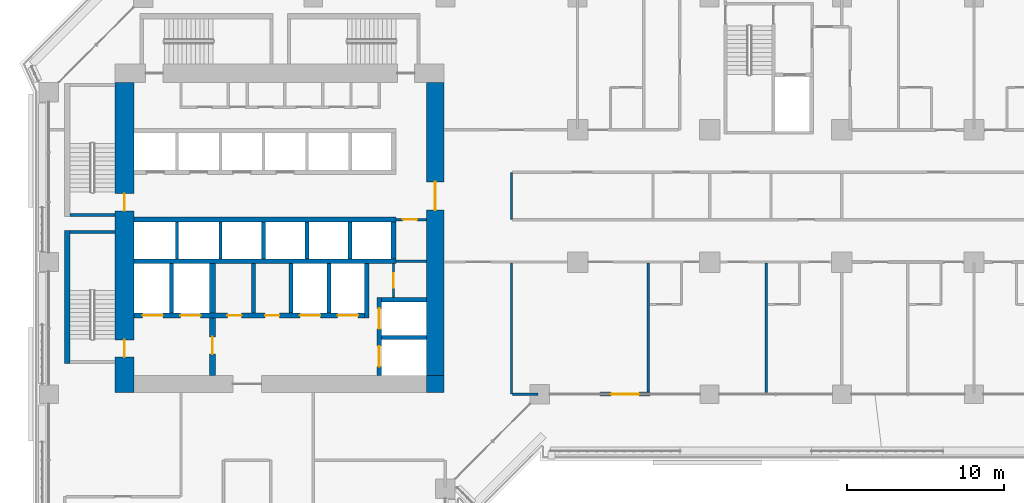
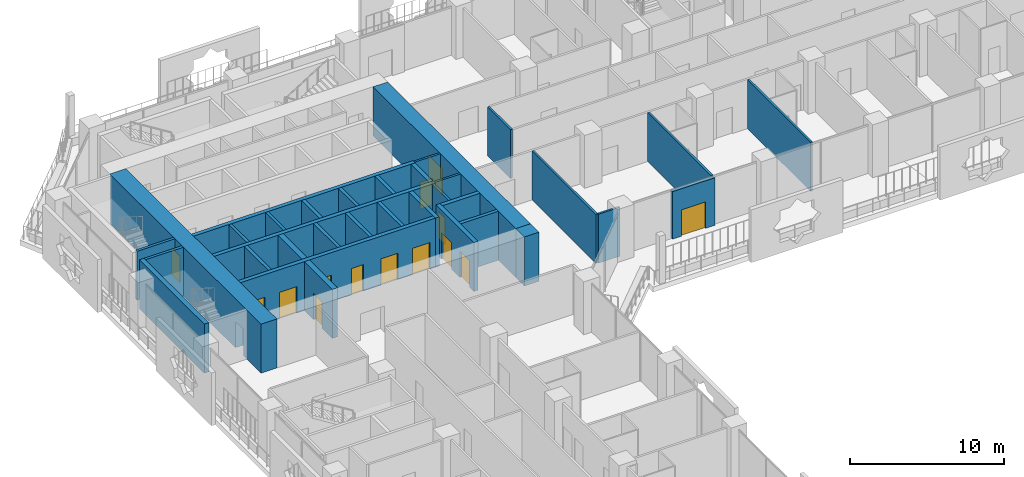
# One storey, part 15 of 28: 34 walls, 15 doors, 15 openings.
"""IFC4 building model written with IfcOpenShell, lengths in metres."""

from ifc_helpers import new_model, si_unit, direction, frame, frame_2d, origin, place, context, subcontext, project, spatial, rectangle, extrude, material, layer, layer_set, type_object, element, fill, save


model = new_model("IFC4")

# Units and contexts
model_context = context("Model", 3, precision=1e-05, world=origin(), true_north=direction((0.0, 1.0)))
body_context = subcontext(model_context, "Body", "Model", "MODEL_VIEW")
ifc_project = project(units=[si_unit("LENGTHUNIT", "METRE"), si_unit("AREAUNIT", "SQUARE_METRE"), si_unit("VOLUMEUNIT", "CUBIC_METRE"), si_unit("PLANEANGLEUNIT", "RADIAN"), si_unit("MASSUNIT", "GRAM", prefix="KILO")], contexts=[model_context])

# Site, building, storey
site_placement = place(None, origin())
site = spatial("IfcSite", under=ifc_project, at=site_placement, CompositionType="ELEMENT")
building_placement = place(site_placement, origin())
building = spatial("IfcBuilding", under=site, at=building_placement, Name="Kawkab Arch Medical Tower", CompositionType="ELEMENT")
storey_placement = place(building_placement, frame((0.0, 0.0, 68.60009765625)))
storey = spatial("IfcBuildingStorey", under=building, at=storey_placement, Name="L15", CompositionType="ELEMENT", Elevation=68.60009765625)

# Wall, opening, door
ifc_material_1 = material(Name="Concrete C60/75", Category="concrete")
ifc_layer_1 = layer(ifc_material_1, 1.10009765625)
ifc_layer_set_1 = layer_set([ifc_layer_1], Name="Concrete C60/75")
wall_type_1 = type_object("IfcWallType", Name="Core ring wall 1100 C60/75", PredefinedType="SHEAR", material=ifc_layer_set_1)
wall_1_placement = place(storey_placement, frame((24.550048828125, -24.0, 0.0), z_axis=(0.0, 0.0, 1.0), x_axis=(0.0, 1.0, 0.0)))
wall_1 = element("IfcWall", 1, at=wall_1_placement, inside=storey, type_object=wall_type_1, Name="L15 core wall", PredefinedType="SHEAR", context=body_context, shape_type="SweptSolid", body=[
    extrude(rectangle(XDim=18.60009765625, YDim=1.10009765625, at=frame_2d((9.300048828125, 0.0))), origin(), (0.0, 0.0, 1.0), 3.89990234375),
])
opening_1_placement = place(wall_1_placement, frame((10.5, 0.0, 0.0)))
opening_1 = element("IfcOpeningElement", 2, at=opening_1_placement, cuts=wall_1, Name="Opening PD", PredefinedType="OPENING", context=body_context, shape_type="SweptSolid", body=[
    extrude(rectangle(XDim=1.800048828125, YDim=2.10009765625, at=frame_2d((0.89990234375, 1.050048828125))), frame((0.0, 0.56005859375, 0.0), z_axis=(0.0, -1.0, 0.0), x_axis=(1.0, 0.0, 0.0)), (0.0, 0.0, 1.0), 1.1201171875),
])
ifc_material_2 = material(Name="Hollow metal fire door leaf")
door_type_1 = type_object("IfcDoorType", Name="Core entrance doors 1800", OperationType="DOUBLE_DOOR_SINGLE_SWING", PredefinedType="DOOR", material=ifc_material_2)
door_1_placement = place(opening_1_placement, origin())
door_1 = element("IfcDoor", 3, at=door_1_placement, inside=storey, type_object=door_type_1, Name="L15 East entrance doors", OperationType="DOUBLE_DOOR_SINGLE_SWING", OverallHeight=2.10009765625, OverallWidth=1.800048828125, PredefinedType="DOOR", context=body_context, shape_type="SweptSolid", body=[
    extrude(rectangle(XDim=1.800048828125, YDim=2.10009765625, at=frame_2d((0.89990234375, 1.050048828125))), frame((0.0, 0.02490234375, 0.0), z_axis=(0.0, -1.0, 0.0), x_axis=(1.0, 0.0, 0.0)), (0.0, 0.0, 1.0), 0.050048828125),
])
fill(opening_1, door_1)

# Wall
wall_2_placement = place(storey_placement, frame((24.550048828125, -25.10009765625, 0.0), z_axis=(0.0, 0.0, 1.0), x_axis=(0.0, 1.0, 0.0)))
element("IfcWall", 4, at=wall_2_placement, inside=storey, type_object=wall_type_1, Name="L15 core wall", PredefinedType="SHEAR", context=body_context, shape_type="SweptSolid", body=[
    extrude(rectangle(XDim=1.10009765625, YDim=1.10009765625, at=frame_2d((0.550048828125, 0.0))), origin(), (0.0, 0.0, 1.0), 3.89990234375),
])

# Wall, openings, doors
ifc_material_3 = material(Name="Concrete C60/75", Category="concrete")
ifc_layer_2 = layer(ifc_material_3, 1.199951171875)
ifc_layer_set_2 = layer_set([ifc_layer_2], Name="Concrete C60/75")
wall_type_2 = type_object("IfcWallType", Name="Core ring wall 1200 C60/75", PredefinedType="SHEAR", material=ifc_layer_set_2)
wall_3_placement = place(storey_placement, frame((4.800048828125, -25.10009765625, 0.0), z_axis=(0.0, 0.0, 1.0), x_axis=(0.0, 1.0, 0.0)))
wall_3 = element("IfcWall", 5, at=wall_3_placement, inside=storey, type_object=wall_type_2, Name="L15 core wall", PredefinedType="SHEAR", context=body_context, shape_type="SweptSolid", body=[
    extrude(rectangle(XDim=19.7001953125, YDim=1.199951171875, at=frame_2d((9.85009765625, 0.0))), origin(), (0.0, 0.0, 1.0), 3.89990234375),
])
opening_2_placement = place(wall_3_placement, frame((11.550048828125, 0.0, 0.0)))
opening_2 = element("IfcOpeningElement", 6, at=opening_2_placement, cuts=wall_3, Name="Opening SD", PredefinedType="OPENING", context=body_context, shape_type="SweptSolid", body=[
    extrude(rectangle(XDim=1.10009765625, YDim=2.10009765625, at=frame_2d((0.550048828125, 1.050048828125))), frame((0.0, 0.60986328125, 0.0), z_axis=(0.0, -1.0, 0.0), x_axis=(1.0, 0.0, 0.0)), (0.0, 0.0, 1.0), 1.219970703125),
])
opening_3_placement = place(wall_3_placement, frame((2.25, 0.0, 0.0)))
opening_3 = element("IfcOpeningElement", 7, at=opening_3_placement, cuts=wall_3, Name="Opening SD", PredefinedType="OPENING", context=body_context, shape_type="SweptSolid", body=[
    extrude(rectangle(XDim=1.10009765625, YDim=2.10009765625, at=frame_2d((0.550048828125, 1.050048828125))), frame((0.0, 0.60986328125, 0.0), z_axis=(0.0, -1.0, 0.0), x_axis=(1.0, 0.0, 0.0)), (0.0, 0.0, 1.0), 1.219970703125),
])
ifc_material_4 = material(Name="Hollow metal fire door leaf")
door_type_2 = type_object("IfcDoorType", Name="Exit stair door 1100", OperationType="SINGLE_SWING_LEFT", PredefinedType="DOOR", material=ifc_material_4)
door_2_placement = place(opening_2_placement, origin())
door_2 = element("IfcDoor", 8, at=door_2_placement, inside=storey, type_object=door_type_2, Name="L15 Exit stair ST1 door", OperationType="SINGLE_SWING_LEFT", OverallHeight=2.10009765625, OverallWidth=1.10009765625, PredefinedType="DOOR", context=body_context, shape_type="SweptSolid", body=[
    extrude(rectangle(XDim=1.10009765625, YDim=2.10009765625, at=frame_2d((0.550048828125, 1.050048828125))), frame((0.0, 0.02490234375, 0.0), z_axis=(0.0, -1.0, 0.0), x_axis=(1.0, 0.0, 0.0)), (0.0, 0.0, 1.0), 0.050048828125),
])
fill(opening_2, door_2)
door_3_placement = place(opening_3_placement, origin())
door_3 = element("IfcDoor", 9, at=door_3_placement, inside=storey, type_object=door_type_2, Name="L15 Exit stair ST2 door", OperationType="SINGLE_SWING_LEFT", OverallHeight=2.10009765625, OverallWidth=1.10009765625, PredefinedType="DOOR", context=body_context, shape_type="SweptSolid", body=[
    extrude(rectangle(XDim=1.10009765625, YDim=2.10009765625, at=frame_2d((0.550048828125, 1.050048828125))), frame((0.0, 0.02490234375, 0.0), z_axis=(0.0, -1.0, 0.0), x_axis=(1.0, 0.0, 0.0)), (0.0, 0.0, 1.0), 0.050048828125),
])
fill(opening_3, door_3)

# Wall, opening, door
ifc_material_5 = material(Name="Gypsum board on steel studs", Category="steel")
ifc_layer_3 = layer(ifc_material_5, 0.14990234375)
ifc_layer_set_3 = layer_set([ifc_layer_3], Name="Gypsum board on steel studs")
wall_type_3 = type_object("IfcWallType", Name="Core room partition 150", PredefinedType="PARTITIONING", material=ifc_layer_set_3)
wall_4_placement = place(storey_placement, frame((21.89990234375, -19.050048828125, 0.0), z_axis=(0.0, 0.0, 1.0), x_axis=(0.0, 1.0, 0.0)))
wall_4 = element("IfcWall", 10, at=wall_4_placement, inside=storey, type_object=wall_type_3, Name="L15 core room partition", PredefinedType="PARTITIONING", context=body_context, shape_type="SweptSolid", body=[
    extrude(rectangle(XDim=2.150146484375, YDim=0.14990234375, at=frame_2d((1.0751953125, 0.0))), origin(), (0.0, 0.0, 1.0), 3.89990234375),
])
opening_4_placement = place(wall_4_placement, frame((0.625, 0.0, 0.0)))
opening_4 = element("IfcOpeningElement", 11, at=opening_4_placement, cuts=wall_4, Name="Opening RD", PredefinedType="OPENING", context=body_context, shape_type="SweptSolid", body=[
    extrude(rectangle(XDim=0.89990234375, YDim=2.10009765625, at=frame_2d((0.449951171875, 1.050048828125))), frame((0.0, 0.0849609375, 0.0), z_axis=(0.0, -1.0, 0.0), x_axis=(1.0, 0.0, 0.0)), (0.0, 0.0, 1.0), 0.169921875),
])
ifc_material_6 = material(Name="Hollow metal fire door leaf")
door_type_3 = type_object("IfcDoorType", Name="Core room door 900", OperationType="SINGLE_SWING_LEFT", PredefinedType="DOOR", material=ifc_material_6)
door_4_placement = place(opening_4_placement, origin())
door_4 = element("IfcDoor", 12, at=door_4_placement, inside=storey, type_object=door_type_3, Name="L15 Accessible WC door", OperationType="SINGLE_SWING_LEFT", OverallHeight=2.10009765625, OverallWidth=0.89990234375, PredefinedType="DOOR", context=body_context, shape_type="SweptSolid", body=[
    extrude(rectangle(XDim=0.89990234375, YDim=2.10009765625, at=frame_2d((0.449951171875, 1.050048828125))), frame((0.0, 0.02490234375, 0.0), z_axis=(0.0, -1.0, 0.0), x_axis=(1.0, 0.0, 0.0)), (0.0, 0.0, 1.0), 0.050048828125),
])
fill(opening_4, door_4)

# Wall
wall_5_placement = place(storey_placement, frame((22.050048828125, -16.75, 0.0), z_axis=(0.0, 0.0, 1.0), x_axis=(1.0, 0.0, 0.0)))
element("IfcWall", 13, at=wall_5_placement, inside=storey, type_object=wall_type_3, Name="L15 core room partition", PredefinedType="PARTITIONING", context=body_context, shape_type="SweptSolid", body=[
    extrude(rectangle(XDim=1.949951171875, YDim=0.14990234375, at=frame_2d((0.97509765625, 0.0))), origin(), (0.0, 0.0, 1.0), 3.89990234375),
])

# Wall, opening, door
wall_6_placement = place(storey_placement, frame((22.050048828125, -14.10009765625, 0.0), z_axis=(0.0, 0.0, 1.0), x_axis=(1.0, 0.0, 0.0)))
wall_6 = element("IfcWall", 14, at=wall_6_placement, inside=storey, type_object=wall_type_3, Name="L15 core room partition", PredefinedType="PARTITIONING", context=body_context, shape_type="SweptSolid", body=[
    extrude(rectangle(XDim=1.949951171875, YDim=0.14990234375, at=frame_2d((0.97509765625, 0.0))), origin(), (0.0, 0.0, 1.0), 3.89990234375),
])
opening_5_placement = place(wall_6_placement, frame((0.449951171875, 0.0, 0.0)))
opening_5 = element("IfcOpeningElement", 15, at=opening_5_placement, cuts=wall_6, Name="Opening RD", PredefinedType="OPENING", context=body_context, shape_type="SweptSolid", body=[
    extrude(rectangle(XDim=0.89990234375, YDim=2.10009765625, at=frame_2d((0.449951171875, 1.050048828125))), frame((0.0, 0.0849609375, 0.0), z_axis=(0.0, -1.0, 0.0), x_axis=(1.0, 0.0, 0.0)), (0.0, 0.0, 1.0), 0.169921875),
])
door_5_placement = place(opening_5_placement, origin())
door_5 = element("IfcDoor", 16, at=door_5_placement, inside=storey, type_object=door_type_3, Name="L15 Equipment store door", OperationType="SINGLE_SWING_LEFT", OverallHeight=2.10009765625, OverallWidth=0.89990234375, PredefinedType="DOOR", context=body_context, shape_type="SweptSolid", body=[
    extrude(rectangle(XDim=0.89990234375, YDim=2.10009765625, at=frame_2d((0.449951171875, 1.050048828125))), frame((0.0, 0.02490234375, 0.0), z_axis=(0.0, -1.0, 0.0), x_axis=(1.0, 0.0, 0.0)), (0.0, 0.0, 1.0), 0.050048828125),
])
fill(opening_5, door_5)

# Walls
ifc_material_7 = material(Name="Concrete C60/75", Category="concrete")
ifc_layer_4 = layer(ifc_material_7, 0.25)
ifc_layer_set_4 = layer_set([ifc_layer_4], Name="Concrete C60/75")
wall_type_4 = type_object("IfcWallType", Name="Core shear wall 250 C60/75", PredefinedType="SHEAR", material=ifc_layer_set_4)
wall_7_placement = place(storey_placement, frame((21.14990234375, -21.60009765625, 0.0), z_axis=(0.0, 0.0, 1.0), x_axis=(1.0, 0.0, 0.0)))
element("IfcWall", 17, at=wall_7_placement, inside=storey, type_object=wall_type_4, Name="L15 core shear wall", PredefinedType="SHEAR", context=body_context, shape_type="SweptSolid", body=[
    extrude(rectangle(XDim=2.85009765625, YDim=0.25, at=frame_2d((1.425048828125, 0.0))), origin(), (0.0, 0.0, 1.0), 3.89990234375),
])
for number, where, z_axis, x_axis, name in (
    (18, (7.800048828125, -20.050048828125, 0.0), (0.0, 0.0, 1.0), (0.0, 1.0, 0.0), "L15 core shear wall"),
    (19, (13.0, -20.050048828125, 0.0), (0.0, 0.0, 1.0), (0.0, 1.0, 0.0), "L15 core shear wall"),
    (20, (15.39990234375, -20.050048828125, 0.0), (0.0, 0.0, 1.0), (0.0, 1.0, 0.0), "L15 core shear wall"),
    (21, (17.800048828125, -20.050048828125, 0.0), (0.0, 0.0, 1.0), (0.0, 1.0, 0.0), "L15 core shear wall"),
):
    element("IfcWall", number, at=place(storey_placement, frame(where, z_axis=z_axis, x_axis=x_axis)), inside=storey, type_object=wall_type_4, Name=name, PredefinedType="SHEAR", context=body_context, shape_type="SweptSolid", body=[
        extrude(rectangle(XDim=3.150146484375, YDim=0.25, at=frame_2d((1.5751953125, 0.0))), origin(), (0.0, 0.0, 1.0), 3.89990234375),
    ])
for number, where, z_axis, x_axis, name in (
    (22, (13.64990234375, -16.60009765625, 0.0), (0.0, 0.0, 1.0), (0.0, 1.0, 0.0), "L15 core shear wall"),
    (23, (16.39990234375, -16.60009765625, 0.0), (0.0, 0.0, 1.0), (0.0, 1.0, 0.0), "L15 core shear wall"),
    (24, (19.14990234375, -16.60009765625, 0.0), (0.0, 0.0, 1.0), (0.0, 1.0, 0.0), "L15 core shear wall"),
):
    element("IfcWall", number, at=place(storey_placement, frame(where, z_axis=z_axis, x_axis=x_axis)), inside=storey, type_object=wall_type_4, Name=name, PredefinedType="SHEAR", context=body_context, shape_type="SweptSolid", body=[
        extrude(rectangle(XDim=2.35009765625, YDim=0.25, at=frame_2d((1.175048828125, 0.0))), origin(), (0.0, 0.0, 1.0), 3.89990234375),
    ])
ifc_material_8 = material(Name="Concrete C60/75", Category="concrete")
ifc_layer_5 = layer(ifc_material_8, 0.300048828125)
ifc_layer_set_5 = layer_set([ifc_layer_5], Name="Concrete C60/75")
wall_type_5 = type_object("IfcWallType", Name="Core shear wall 300 C60/75", PredefinedType="SHEAR", material=ifc_layer_set_5)
for number, where, z_axis, x_axis, name in (
    (25, (5.39990234375, -14.10009765625, 0.0), (0.0, 0.0, 1.0), (1.0, 0.0, 0.0), "L15 core shear wall"),
    (26, (5.39990234375, -16.75, 0.0), (0.0, 0.0, 1.0), (1.0, 0.0, 0.0), "L15 core shear wall"),
):
    element("IfcWall", number, at=place(storey_placement, frame(where, z_axis=z_axis, x_axis=x_axis)), inside=storey, type_object=wall_type_5, Name=name, PredefinedType="SHEAR", context=body_context, shape_type="SweptSolid", body=[
        extrude(rectangle(XDim=16.650146484375, YDim=0.300048828125, at=frame_2d((8.3251953125, 0.0))), origin(), (0.0, 0.0, 1.0), 3.89990234375),
    ])

# Wall, openings, doors
wall_8_placement = place(storey_placement, frame((5.39990234375, -20.199951171875, 0.0), z_axis=(0.0, 0.0, 1.0), x_axis=(1.0, 0.0, 0.0)))
wall_8 = element("IfcWall", 27, at=wall_8_placement, inside=storey, type_object=wall_type_5, Name="L15 core shear wall", PredefinedType="SHEAR", context=body_context, shape_type="SweptSolid", body=[
    extrude(rectangle(XDim=14.650146484375, YDim=0.300048828125, at=frame_2d((7.3251953125, 0.0))), origin(), (0.0, 0.0, 1.0), 3.89990234375),
])
opening_6_placement = place(wall_8_placement, frame((10.550048828125, 0.0, 0.0)))
opening_6 = element("IfcOpeningElement", 28, at=opening_6_placement, cuts=wall_8, Name="Opening LD2", PredefinedType="OPENING", context=body_context, shape_type="SweptSolid", body=[
    extrude(rectangle(XDim=1.300048828125, YDim=2.10009765625, at=frame_2d((0.64990234375, 1.050048828125))), frame((0.0, 0.159912109375, 0.0), z_axis=(0.0, -1.0, 0.0), x_axis=(1.0, 0.0, 0.0)), (0.0, 0.0, 1.0), 0.320068359375),
])
opening_7_placement = place(wall_8_placement, frame((12.949951171875, 0.0, 0.0)))
opening_7 = element("IfcOpeningElement", 29, at=opening_7_placement, cuts=wall_8, Name="Opening LD2", PredefinedType="OPENING", context=body_context, shape_type="SweptSolid", body=[
    extrude(rectangle(XDim=1.300048828125, YDim=2.10009765625, at=frame_2d((0.64990234375, 1.050048828125))), frame((0.0, 0.159912109375, 0.0), z_axis=(0.0, -1.0, 0.0), x_axis=(1.0, 0.0, 0.0)), (0.0, 0.0, 1.0), 0.320068359375),
])
opening_8_placement = place(wall_8_placement, frame((0.550048828125, 0.0, 0.0)))
opening_8 = element("IfcOpeningElement", 30, at=opening_8_placement, cuts=wall_8, Name="Opening LD2", PredefinedType="OPENING", context=body_context, shape_type="SweptSolid", body=[
    extrude(rectangle(XDim=1.300048828125, YDim=2.10009765625, at=frame_2d((0.64990234375, 1.050048828125))), frame((0.0, 0.159912109375, 0.0), z_axis=(0.0, -1.0, 0.0), x_axis=(1.0, 0.0, 0.0)), (0.0, 0.0, 1.0), 0.320068359375),
])
opening_9_placement = place(wall_8_placement, frame((2.949951171875, 0.0, 0.0)))
opening_9 = element("IfcOpeningElement", 31, at=opening_9_placement, cuts=wall_8, Name="Opening LD2", PredefinedType="OPENING", context=body_context, shape_type="SweptSolid", body=[
    extrude(rectangle(XDim=1.300048828125, YDim=2.10009765625, at=frame_2d((0.64990234375, 1.050048828125))), frame((0.0, 0.159912109375, 0.0), z_axis=(0.0, -1.0, 0.0), x_axis=(1.0, 0.0, 0.0)), (0.0, 0.0, 1.0), 0.320068359375),
])
opening_10_placement = place(wall_8_placement, frame((5.949951171875, 0.0, 0.0)))
opening_10 = element("IfcOpeningElement", 32, at=opening_10_placement, cuts=wall_8, Name="Opening RD", PredefinedType="OPENING", context=body_context, shape_type="SweptSolid", body=[
    extrude(rectangle(XDim=0.89990234375, YDim=2.10009765625, at=frame_2d((0.449951171875, 1.050048828125))), frame((0.0, 0.159912109375, 0.0), z_axis=(0.0, -1.0, 0.0), x_axis=(1.0, 0.0, 0.0)), (0.0, 0.0, 1.0), 0.320068359375),
])
opening_11_placement = place(wall_8_placement, frame((8.35009765625, 0.0, 0.0)))
opening_11 = element("IfcOpeningElement", 33, at=opening_11_placement, cuts=wall_8, Name="Opening RD", PredefinedType="OPENING", context=body_context, shape_type="SweptSolid", body=[
    extrude(rectangle(XDim=0.89990234375, YDim=2.10009765625, at=frame_2d((0.449951171875, 1.050048828125))), frame((0.0, 0.159912109375, 0.0), z_axis=(0.0, -1.0, 0.0), x_axis=(1.0, 0.0, 0.0)), (0.0, 0.0, 1.0), 0.320068359375),
])
door_6_placement = place(opening_10_placement, origin())
door_6 = element("IfcDoor", 34, at=door_6_placement, inside=storey, type_object=door_type_3, Name="L15 Dirty utility room door", OperationType="SINGLE_SWING_LEFT", OverallHeight=2.10009765625, OverallWidth=0.89990234375, PredefinedType="DOOR", context=body_context, shape_type="SweptSolid", body=[
    extrude(rectangle(XDim=0.89990234375, YDim=2.10009765625, at=frame_2d((0.449951171875, 1.050048828125))), frame((0.0, 0.02490234375, 0.0), z_axis=(0.0, -1.0, 0.0), x_axis=(1.0, 0.0, 0.0)), (0.0, 0.0, 1.0), 0.050048828125),
])
fill(opening_10, door_6)
door_7_placement = place(opening_11_placement, origin())
door_7 = element("IfcDoor", 35, at=door_7_placement, inside=storey, type_object=door_type_3, Name="L15 Medication store door", OperationType="SINGLE_SWING_LEFT", OverallHeight=2.10009765625, OverallWidth=0.89990234375, PredefinedType="DOOR", context=body_context, shape_type="SweptSolid", body=[
    extrude(rectangle(XDim=0.89990234375, YDim=2.10009765625, at=frame_2d((0.449951171875, 1.050048828125))), frame((0.0, 0.02490234375, 0.0), z_axis=(0.0, -1.0, 0.0), x_axis=(1.0, 0.0, 0.0)), (0.0, 0.0, 1.0), 0.050048828125),
])
fill(opening_11, door_7)
ifc_material_9 = material(Name="Stainless steel lift door leaf", Category="steel")
door_type_4 = type_object("IfcDoorType", Name="Lift landing door 1300", OperationType="DOUBLE_DOOR_SLIDING", PredefinedType="DOOR", material=ifc_material_9)
door_8_placement = place(opening_6_placement, origin())
door_8 = element("IfcDoor", 36, at=door_8_placement, inside=storey, type_object=door_type_4, Name="L15 Lift landing door BD3", OperationType="DOUBLE_DOOR_SLIDING", OverallHeight=2.10009765625, OverallWidth=1.300048828125, PredefinedType="DOOR", context=body_context, shape_type="SweptSolid", body=[
    extrude(rectangle(XDim=1.300048828125, YDim=2.10009765625, at=frame_2d((0.64990234375, 1.050048828125))), frame((0.0, 0.02490234375, 0.0), z_axis=(0.0, -1.0, 0.0), x_axis=(1.0, 0.0, 0.0)), (0.0, 0.0, 1.0), 0.050048828125),
])
fill(opening_6, door_8)
door_9_placement = place(opening_7_placement, origin())
door_9 = element("IfcDoor", 37, at=door_9_placement, inside=storey, type_object=door_type_4, Name="L15 Lift landing door BD4", OperationType="DOUBLE_DOOR_SLIDING", OverallHeight=2.10009765625, OverallWidth=1.300048828125, PredefinedType="DOOR", context=body_context, shape_type="SweptSolid", body=[
    extrude(rectangle(XDim=1.300048828125, YDim=2.10009765625, at=frame_2d((0.64990234375, 1.050048828125))), frame((0.0, 0.02490234375, 0.0), z_axis=(0.0, -1.0, 0.0), x_axis=(1.0, 0.0, 0.0)), (0.0, 0.0, 1.0), 0.050048828125),
])
fill(opening_7, door_9)
door_10_placement = place(opening_8_placement, origin())
door_10 = element("IfcDoor", 38, at=door_10_placement, inside=storey, type_object=door_type_4, Name="L15 Lift landing door FL1", OperationType="DOUBLE_DOOR_SLIDING", OverallHeight=2.10009765625, OverallWidth=1.300048828125, PredefinedType="DOOR", context=body_context, shape_type="SweptSolid", body=[
    extrude(rectangle(XDim=1.300048828125, YDim=2.10009765625, at=frame_2d((0.64990234375, 1.050048828125))), frame((0.0, 0.02490234375, 0.0), z_axis=(0.0, -1.0, 0.0), x_axis=(1.0, 0.0, 0.0)), (0.0, 0.0, 1.0), 0.050048828125),
])
fill(opening_8, door_10)
door_11_placement = place(opening_9_placement, origin())
door_11 = element("IfcDoor", 39, at=door_11_placement, inside=storey, type_object=door_type_4, Name="L15 Lift landing door FL2", OperationType="DOUBLE_DOOR_SLIDING", OverallHeight=2.10009765625, OverallWidth=1.300048828125, PredefinedType="DOOR", context=body_context, shape_type="SweptSolid", body=[
    extrude(rectangle(XDim=1.300048828125, YDim=2.10009765625, at=frame_2d((0.64990234375, 1.050048828125))), frame((0.0, 0.02490234375, 0.0), z_axis=(0.0, -1.0, 0.0), x_axis=(1.0, 0.0, 0.0)), (0.0, 0.0, 1.0), 0.050048828125),
])
fill(opening_9, door_11)

# Walls
wall_9_placement = place(storey_placement, frame((20.199951171875, -20.35009765625, 0.0), z_axis=(0.0, 0.0, 1.0), x_axis=(0.0, 1.0, 0.0)))
element("IfcWall", 40, at=wall_9_placement, inside=storey, type_object=wall_type_5, Name="L15 core shear wall", PredefinedType="SHEAR", context=body_context, shape_type="SweptSolid", body=[
    extrude(rectangle(XDim=3.4501953125, YDim=0.300048828125, at=frame_2d((1.72509765625, 0.0))), origin(), (0.0, 0.0, 1.0), 3.89990234375),
])
wall_10_placement = place(storey_placement, frame((21.89990234375, -16.60009765625, 0.0), z_axis=(0.0, 0.0, 1.0), x_axis=(0.0, 1.0, 0.0)))
element("IfcWall", 41, at=wall_10_placement, inside=storey, type_object=wall_type_5, Name="L15 core shear wall", PredefinedType="SHEAR", context=body_context, shape_type="SweptSolid", body=[
    extrude(rectangle(XDim=2.35009765625, YDim=0.300048828125, at=frame_2d((1.175048828125, 0.0))), origin(), (0.0, 0.0, 1.0), 3.89990234375),
])
wall_11_placement = place(storey_placement, frame((21.14990234375, -19.199951171875, 0.0), z_axis=(0.0, 0.0, 1.0), x_axis=(1.0, 0.0, 0.0)))
element("IfcWall", 42, at=wall_11_placement, inside=storey, type_object=wall_type_5, Name="L15 core shear wall", PredefinedType="SHEAR", context=body_context, shape_type="SweptSolid", body=[
    extrude(rectangle(XDim=2.85009765625, YDim=0.300048828125, at=frame_2d((1.425048828125, 0.0))), origin(), (0.0, 0.0, 1.0), 3.89990234375),
])

# Wall, openings, doors
wall_12_placement = place(storey_placement, frame((21.0, -24.0, 0.0), z_axis=(0.0, 0.0, 1.0), x_axis=(0.0, 1.0, 0.0)))
wall_12 = element("IfcWall", 43, at=wall_12_placement, inside=storey, type_object=wall_type_5, Name="L15 core shear wall", PredefinedType="SHEAR", context=body_context, shape_type="SweptSolid", body=[
    extrude(rectangle(XDim=4.949951171875, YDim=0.300048828125, at=frame_2d((2.47509765625, 0.0))), origin(), (0.0, 0.0, 1.0), 3.89990234375),
])
opening_12_placement = place(wall_12_placement, frame((2.949951171875, 0.0, 0.0)))
opening_12 = element("IfcOpeningElement", 44, at=opening_12_placement, cuts=wall_12, Name="Opening LD2", PredefinedType="OPENING", context=body_context, shape_type="SweptSolid", body=[
    extrude(rectangle(XDim=1.300048828125, YDim=2.10009765625, at=frame_2d((0.64990234375, 1.050048828125))), frame((0.0, 0.159912109375, 0.0), z_axis=(0.0, -1.0, 0.0), x_axis=(1.0, 0.0, 0.0)), (0.0, 0.0, 1.0), 0.320068359375),
])
opening_13_placement = place(wall_12_placement, frame((0.550048828125, 0.0, 0.0)))
opening_13 = element("IfcOpeningElement", 45, at=opening_13_placement, cuts=wall_12, Name="Opening LD2", PredefinedType="OPENING", context=body_context, shape_type="SweptSolid", body=[
    extrude(rectangle(XDim=1.300048828125, YDim=2.10009765625, at=frame_2d((0.64990234375, 1.050048828125))), frame((0.0, 0.159912109375, 0.0), z_axis=(0.0, -1.0, 0.0), x_axis=(1.0, 0.0, 0.0)), (0.0, 0.0, 1.0), 0.320068359375),
])
door_12_placement = place(opening_12_placement, origin())
door_12 = element("IfcDoor", 46, at=door_12_placement, inside=storey, type_object=door_type_4, Name="L15 Lift landing door BD1", OperationType="DOUBLE_DOOR_SLIDING", OverallHeight=2.10009765625, OverallWidth=1.300048828125, PredefinedType="DOOR", context=body_context, shape_type="SweptSolid", body=[
    extrude(rectangle(XDim=1.300048828125, YDim=2.10009765625, at=frame_2d((0.64990234375, 1.050048828125))), frame((0.0, 0.02490234375, 0.0), z_axis=(0.0, -1.0, 0.0), x_axis=(1.0, 0.0, 0.0)), (0.0, 0.0, 1.0), 0.050048828125),
])
fill(opening_12, door_12)
door_13_placement = place(opening_13_placement, origin())
door_13 = element("IfcDoor", 47, at=door_13_placement, inside=storey, type_object=door_type_4, Name="L15 Lift landing door BD2", OperationType="DOUBLE_DOOR_SLIDING", OverallHeight=2.10009765625, OverallWidth=1.300048828125, PredefinedType="DOOR", context=body_context, shape_type="SweptSolid", body=[
    extrude(rectangle(XDim=1.300048828125, YDim=2.10009765625, at=frame_2d((0.64990234375, 1.050048828125))), frame((0.0, 0.02490234375, 0.0), z_axis=(0.0, -1.0, 0.0), x_axis=(1.0, 0.0, 0.0)), (0.0, 0.0, 1.0), 0.050048828125),
])
fill(opening_13, door_13)

# Wall, opening, door
ifc_material_10 = material(Name="Concrete C60/75", Category="concrete")
ifc_layer_6 = layer(ifc_material_10, 0.39990234375)
ifc_layer_set_6 = layer_set([ifc_layer_6], Name="Concrete C60/75")
wall_type_6 = type_object("IfcWallType", Name="Core shear wall 400 C60/75", PredefinedType="SHEAR", material=ifc_layer_set_6)
wall_13_placement = place(storey_placement, frame((10.39990234375, -24.0, 0.0), z_axis=(0.0, 0.0, 1.0), x_axis=(0.0, 1.0, 0.0)))
wall_13 = element("IfcWall", 48, at=wall_13_placement, inside=storey, type_object=wall_type_6, Name="L15 core shear wall", PredefinedType="SHEAR", context=body_context, shape_type="SweptSolid", body=[
    extrude(rectangle(XDim=3.64990234375, YDim=0.39990234375, at=frame_2d((1.824951171875, 0.0))), origin(), (0.0, 0.0, 1.0), 3.89990234375),
])
opening_14_placement = place(wall_13_placement, frame((1.35009765625, 0.0, 0.0)))
opening_14 = element("IfcOpeningElement", 49, at=opening_14_placement, cuts=wall_13, Name="Opening FD", PredefinedType="OPENING", context=body_context, shape_type="SweptSolid", body=[
    extrude(rectangle(XDim=1.10009765625, YDim=2.10009765625, at=frame_2d((0.550048828125, 1.050048828125))), frame((0.0, 0.2099609375, 0.0), z_axis=(0.0, -1.0, 0.0), x_axis=(1.0, 0.0, 0.0)), (0.0, 0.0, 1.0), 0.419921875),
])
ifc_material_11 = material(Name="Hollow metal fire door leaf")
door_type_5 = type_object("IfcDoorType", Name="Firefighting lobby door 1100", OperationType="SINGLE_SWING_LEFT", PredefinedType="DOOR", material=ifc_material_11)
door_14_placement = place(opening_14_placement, origin())
door_14 = element("IfcDoor", 50, at=door_14_placement, inside=storey, type_object=door_type_5, Name="L15 Firefighting lobby door", OperationType="SINGLE_SWING_LEFT", OverallHeight=2.10009765625, OverallWidth=1.10009765625, PredefinedType="DOOR", context=body_context, shape_type="SweptSolid", body=[
    extrude(rectangle(XDim=1.10009765625, YDim=2.10009765625, at=frame_2d((0.550048828125, 1.050048828125))), frame((0.0, 0.02490234375, 0.0), z_axis=(0.0, -1.0, 0.0), x_axis=(1.0, 0.0, 0.0)), (0.0, 0.0, 1.0), 0.050048828125),
])
fill(opening_14, door_14)

# Wall
wall_14_placement = place(storey_placement, frame((10.39990234375, -20.050048828125, 0.0), z_axis=(0.0, 0.0, 1.0), x_axis=(0.0, 1.0, 0.0)))
element("IfcWall", 51, at=wall_14_placement, inside=storey, type_object=wall_type_6, Name="L15 core shear wall", PredefinedType="SHEAR", context=body_context, shape_type="SweptSolid", body=[
    extrude(rectangle(XDim=3.150146484375, YDim=0.39990234375, at=frame_2d((1.5751953125, 0.0))), origin(), (0.0, 0.0, 1.0), 3.89990234375),
])

# Wall, opening, door
ifc_material_12 = material(Name="Bronze clad insulated wall panel")
ifc_layer_7 = layer(ifc_material_12, 0.25)
ifc_layer_set_7 = layer_set([ifc_layer_7], Name="Bronze clad insulated wall panel")
wall_type_7 = type_object("IfcWallType", Name="External wall bay 250", PredefinedType="SOLIDWALL", material=ifc_layer_set_7)
wall_15_placement = place(storey_placement, frame((35.0166015625, -25.199951171875, 0.0), z_axis=(0.0, 0.0, 1.0), x_axis=(1.0, 0.0, 0.0)))
wall_15 = element("IfcWall", 52, at=wall_15_placement, inside=storey, type_object=wall_type_7, Name="External wall bay L15.R07.1.2", PredefinedType="SOLIDWALL", context=body_context, shape_type="SweptSolid", body=[
    extrude(rectangle(XDim=3.191650390625, YDim=0.25, at=frame_2d((1.595703125, 0.0))), origin(), (0.0, 0.0, 1.0), 3.77978515625),
])
opening_15_placement = place(wall_15_placement, frame((0.69580078125, 0.0, 0.0)))
opening_15 = element("IfcOpeningElement", 53, at=opening_15_placement, cuts=wall_15, Name="Opening W15A-702", PredefinedType="OPENING", context=body_context, shape_type="SweptSolid", body=[
    extrude(rectangle(XDim=1.800048828125, YDim=2.10009765625, at=frame_2d((0.89990234375, 1.050048828125))), frame((0.0, 0.135009765625, 0.0), z_axis=(0.0, -1.0, 0.0), x_axis=(1.0, 0.0, 0.0)), (0.0, 0.0, 1.0), 0.27001953125),
])
ifc_material_13 = material(Name="Bronze anodised aluminium door with tinted glass", Category="aluminium")
door_type_6 = type_object("IfcDoorType", Name="Double external door 1800 x 2100", OperationType="DOUBLE_DOOR_SINGLE_SWING", PredefinedType="DOOR", material=ifc_material_13)
door_15_placement = place(opening_15_placement, origin())
door_15 = element("IfcDoor", 54, at=door_15_placement, inside=storey, type_object=door_type_6, Name="External door L15.R07.1.2", OperationType="DOUBLE_DOOR_SINGLE_SWING", OverallHeight=2.10009765625, OverallWidth=1.800048828125, PredefinedType="DOOR", context=body_context, shape_type="SweptSolid", body=[
    extrude(rectangle(XDim=1.800048828125, YDim=2.10009765625, at=frame_2d((0.89990234375, 1.050048828125))), frame((0.0, 0.02490234375, 0.0), z_axis=(0.0, -1.0, 0.0), x_axis=(1.0, 0.0, 0.0)), (0.0, 0.0, 1.0), 0.050048828125),
])
fill(opening_15, door_15)

# Walls
ifc_material_14 = material(Name="Dense concrete blockwork", Category="masonry")
ifc_layer_8 = layer(ifc_material_14, 0.199951171875)
ifc_layer_set_8 = layer_set([ifc_layer_8], Name="Dense concrete blockwork")
wall_type_8 = type_object("IfcWallType", Name="Lift shaft partition 200", PredefinedType="PARTITIONING", material=ifc_layer_set_8)
for number, where, z_axis, x_axis, name in (
    (55, (8.14990234375, -16.60009765625, 0.0), (0.0, 0.0, 1.0), (0.0, 1.0, 0.0), "L15 lift shaft partition"),
    (56, (10.89990234375, -16.60009765625, 0.0), (0.0, 0.0, 1.0), (0.0, 1.0, 0.0), "L15 lift shaft partition"),
):
    element("IfcWall", number, at=place(storey_placement, frame(where, z_axis=z_axis, x_axis=x_axis)), inside=storey, type_object=wall_type_8, Name=name, PredefinedType="PARTITIONING", context=body_context, shape_type="SweptSolid", body=[
        extrude(rectangle(XDim=2.35009765625, YDim=0.199951171875, at=frame_2d((1.175048828125, 0.0))), origin(), (0.0, 0.0, 1.0), 3.89990234375),
    ])
ifc_material_15 = material(Name="Gypsum board partition on steel studs, mineral wool", Category="steel")
ifc_layer_9 = layer(ifc_material_15, 0.14990234375)
ifc_layer_set_9 = layer_set([ifc_layer_9], Name="Gypsum board partition on steel studs, mineral wool")
wall_type_9 = type_object("IfcWallType", Name="Partition 150", PredefinedType="PARTITIONING", material=ifc_layer_set_9)
wall_16_placement = place(storey_placement, frame((29.47509765625, -25.199951171875, 0.0), z_axis=(0.0, 0.0, 1.0), x_axis=(1.0, 0.0, 0.0)))
element("IfcWall", 57, at=wall_16_placement, inside=storey, type_object=wall_type_9, Name="Partition 150 w055", PredefinedType="PARTITIONING", context=body_context, shape_type="SweptSolid", body=[
    extrude(rectangle(XDim=1.61181640625, YDim=0.14990234375, at=frame_2d((0.805908203125, 0.0))), origin(), (0.0, 0.0, 1.0), 3.89990234375),
])
wall_17_placement = place(storey_placement, frame((29.39990234375, -25.199951171875, 0.0), z_axis=(0.0, 0.0, 1.0), x_axis=(0.0, 1.0, 0.0)))
element("IfcWall", 58, at=wall_17_placement, inside=storey, type_object=wall_type_9, Name="Partition 150 w074", PredefinedType="PARTITIONING", context=body_context, shape_type="SweptSolid", body=[
    extrude(rectangle(XDim=8.324951171875, YDim=0.14990234375, at=frame_2d((4.16259765625, 0.0))), origin(), (0.0, 0.0, 1.0), 3.89990234375),
])
wall_18_placement = place(storey_placement, frame((29.39990234375, -14.10009765625, 0.0), z_axis=(0.0, 0.0, 1.0), x_axis=(0.0, 1.0, 0.0)))
element("IfcWall", 59, at=wall_18_placement, inside=storey, type_object=wall_type_9, Name="Partition 150 w075", PredefinedType="PARTITIONING", context=body_context, shape_type="SweptSolid", body=[
    extrude(rectangle(XDim=3.0, YDim=0.14990234375, at=frame_2d((1.5, 0.0))), origin(), (0.0, 0.0, 1.0), 3.89990234375),
])
for number, where, z_axis, x_axis, name in (
    (60, (38.10009765625, -25.1201171875, 0.0), (0.0, 0.0, 1.0), (0.0, 1.0, 0.0), "Partition 150 w078"),
    (61, (45.60009765625, -25.1201171875, 0.0), (0.0, 0.0, 1.0), (0.0, 1.0, 0.0), "Partition 150 w084"),
):
    element("IfcWall", number, at=place(storey_placement, frame(where, z_axis=z_axis, x_axis=x_axis)), inside=storey, type_object=wall_type_9, Name=name, PredefinedType="PARTITIONING", context=body_context, shape_type="SweptSolid", body=[
        extrude(rectangle(XDim=8.2451171875, YDim=0.14990234375, at=frame_2d((4.12255859375, 0.0))), origin(), (0.0, 0.0, 1.0), 3.89990234375),
    ])
ifc_material_16 = material(Name="Concrete C50/60", Category="concrete")
ifc_layer_10 = layer(ifc_material_16, 0.199951171875)
ifc_layer_set_10 = layer_set([ifc_layer_10], Name="Concrete C50/60")
wall_type_10 = type_object("IfcWallType", Name="Stair enclosure wall 200 C50/60", PredefinedType="SHEAR", material=ifc_layer_set_10)
for number, where, z_axis, x_axis, name in (
    (62, (1.35009765625, -13.800048828125, 0.0), (0.0, 0.0, 1.0), (1.0, 0.0, 0.0), "L15 stair enclosure wall"),
    (63, (1.35009765625, -14.89990234375, 0.0), (0.0, 0.0, 1.0), (1.0, 0.0, 0.0), "L15 stair enclosure wall"),
):
    element("IfcWall", number, at=place(storey_placement, frame(where, z_axis=z_axis, x_axis=x_axis)), inside=storey, type_object=wall_type_10, Name=name, PredefinedType="SHEAR", context=body_context, shape_type="SweptSolid", body=[
        extrude(rectangle(XDim=2.849853515625, YDim=0.199951171875, at=frame_2d((1.4248046875, 0.0))), origin(), (0.0, 0.0, 1.0), 3.89990234375),
    ])
ifc_material_17 = material(Name="Concrete C50/60", Category="concrete")
ifc_layer_11 = layer(ifc_material_17, 0.35009765625)
ifc_layer_set_11 = layer_set([ifc_layer_11], Name="Concrete C50/60")
wall_type_11 = type_object("IfcWallType", Name="Stair enclosure wall 350 C50/60", PredefinedType="SHEAR", material=ifc_layer_set_11)
wall_19_placement = place(storey_placement, frame((1.175048828125, -23.25, 0.0), z_axis=(0.0, 0.0, 1.0), x_axis=(0.0, 1.0, 0.0)))
element("IfcWall", 64, at=wall_19_placement, inside=storey, type_object=wall_type_11, Name="L15 stair enclosure wall", PredefinedType="SHEAR", context=body_context, shape_type="SweptSolid", body=[
    extrude(rectangle(XDim=8.449951171875, YDim=0.35009765625, at=frame_2d((4.22509765625, 0.0))), origin(), (0.0, 0.0, 1.0), 3.89990234375),
])

save(model, "model.ifc")
